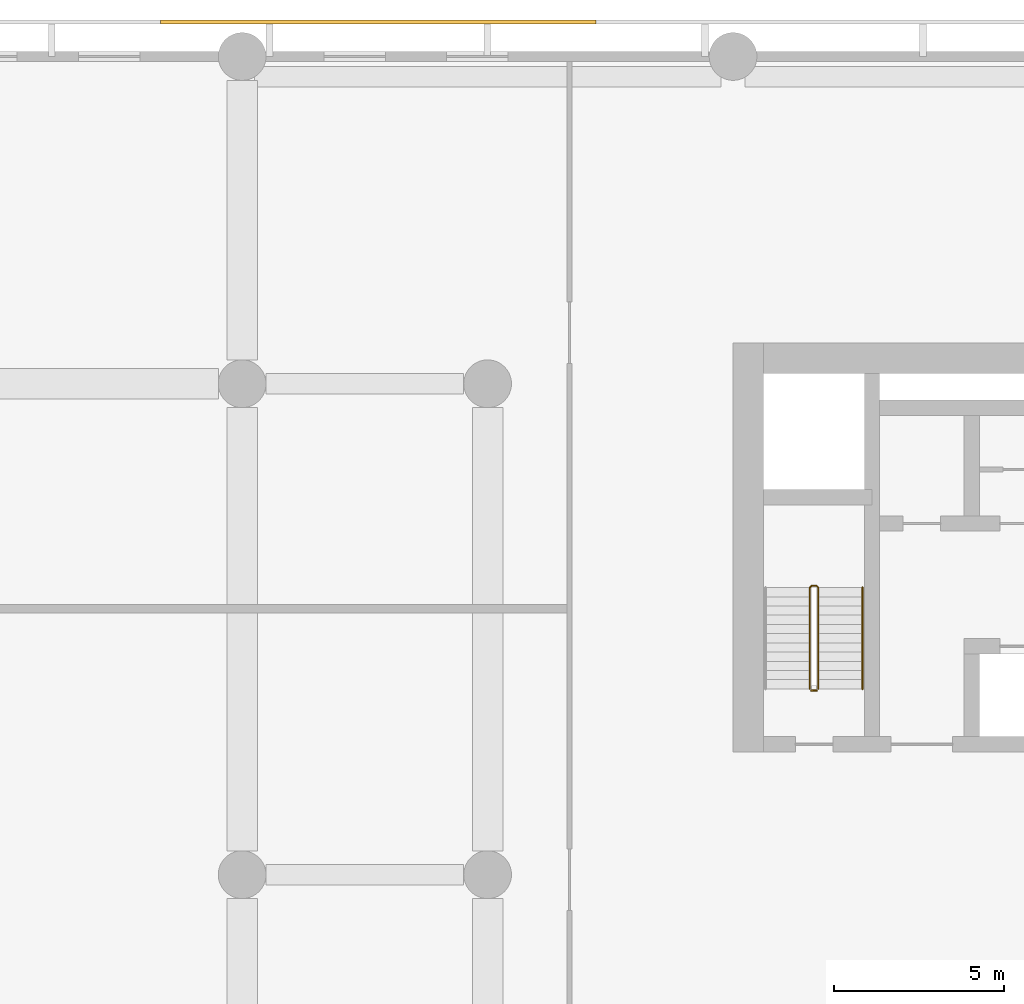
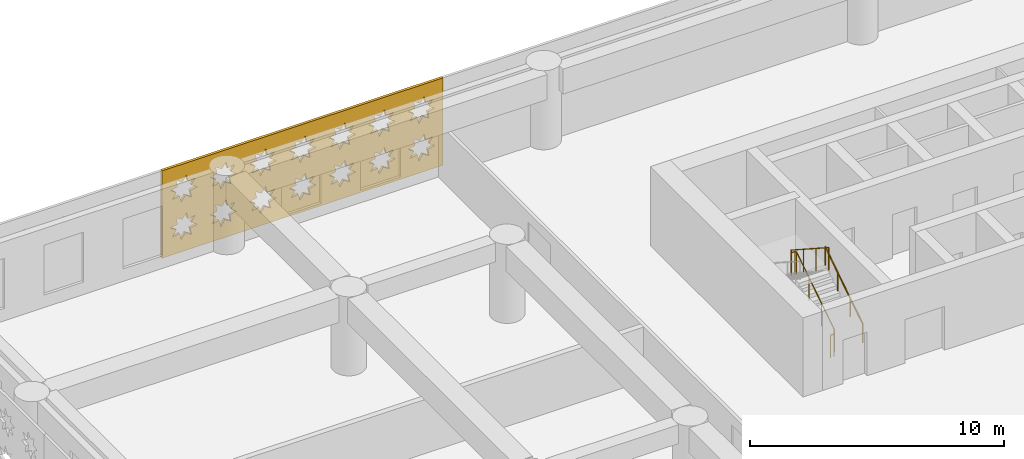
# One storey, part 20 of 24: 3 railings, 1 covering.
"""IFC4 building model written with IfcOpenShell, lengths in metres."""

import ifcopenshell
import ifcopenshell.guid

model = None  # the IFC model being written
_history = None  # IfcOwnerHistory: only IFC2X3 demands one
_inside = {}  # id of a spatial element -> (the spatial element, [elements in it])
_under = {}  # id of a project, library or spatial element -> (it, [spatial elements below it])
_declared = {}  # id of a project -> (the project, [libraries it declares])
_typed = {}  # id of a type object -> (the type object, [elements of that type])
_made_of = {}  # id of a material, layer set ... -> (it, [elements and type objects made of it])


def new_model(schema):
    """Start an empty IFC model of exactly this schema.

    Asked for "IFC4X3", IfcOpenShell would pick the latest addendum, in which some entities
    have other attributes; the version numbers below select the first issue.
    IFC2X3 requires an IfcOwnerHistory on every rooted entity: one is made here for all.
    """
    global model, _history
    if schema == "IFC4X3":
        model = ifcopenshell.file(schema_version=(4, 3, 0, 0))
    else:
        model = ifcopenshell.file(schema=schema)
    _inside.clear()
    _under.clear()
    _declared.clear()
    _typed.clear()
    _made_of.clear()
    _history = None
    if model.schema == "IFC2X3":
        org = make("IfcOrganization", Name="unknown")
        user = make(
            "IfcPersonAndOrganization",
            ThePerson=make("IfcPerson", FamilyName="unknown"),
            TheOrganization=org,
        )
        app = make(
            "IfcApplication",
            ApplicationDeveloper=org,
            Version="unknown",
            ApplicationFullName="unknown",
            ApplicationIdentifier="unknown",
        )
        _history = make(
            "IfcOwnerHistory",
            OwningUser=user,
            OwningApplication=app,
            ChangeAction="ADDED",
            CreationDate=0,
        )
    return model


def make(cls, **values):
    """One entity of the class cls with the attributes given. An attribute that is None is left unset."""
    return model.create_entity(
        cls, **{name: value for name, value in values.items() if value is not None}
    )


def rooted(cls, **values):
    """An entity with a GlobalId (a new one), such as an element, a storey or a relation."""
    return make(cls, GlobalId=ifcopenshell.guid.new(), OwnerHistory=_history, **values)


def si_unit(unit_type, name, prefix=None):
    """IfcSIUnit, for example si_unit("LENGTHUNIT", "METRE", prefix="MILLI")."""
    return make("IfcSIUnit", UnitType=unit_type, Prefix=prefix, Name=name)


def assignment(units):
    """IfcUnitAssignment: the units of a project."""
    return None if units is None else make("IfcUnitAssignment", Units=units)


def point(xyz):
    """IfcCartesianPoint."""
    return None if xyz is None else make("IfcCartesianPoint", Coordinates=xyz)


def direction(xyz):
    """IfcDirection."""
    return None if xyz is None else make("IfcDirection", DirectionRatios=xyz)


def frame(location, z_axis=None, x_axis=None):
    """IfcAxis2Placement3D, a coordinate frame: its origin and axes. An axis left out is left unset."""
    return make(
        "IfcAxis2Placement3D",
        Location=point(location),
        Axis=direction(z_axis),
        RefDirection=direction(x_axis),
    )


def frame_2d(location, x_axis=None):
    """IfcAxis2Placement2D, a coordinate frame in the plane: its origin and x axis."""
    return make(
        "IfcAxis2Placement2D", Location=point(location), RefDirection=direction(x_axis)
    )


def origin():
    """The frame at (0, 0, 0) with its axes left unset."""
    return frame((0.0, 0.0, 0.0))


def origin_2d():
    """The frame at (0, 0) in the plane with its x axis left unset."""
    return frame_2d((0.0, 0.0))


def place(relative_to, where):
    """IfcLocalPlacement: puts the frame where relative to a parent placement (None: the world)."""
    return make(
        "IfcLocalPlacement", PlacementRelTo=relative_to, RelativePlacement=where
    )


def context(
    kind, dimensions, precision=None, world=None, true_north=None, identifier=None
):
    """IfcGeometricRepresentationContext, for example the 3D "Model" context."""
    return make(
        "IfcGeometricRepresentationContext",
        ContextIdentifier=identifier,
        ContextType=kind,
        CoordinateSpaceDimension=dimensions,
        Precision=precision,
        WorldCoordinateSystem=world,
        TrueNorth=true_north,
    )


def subcontext(parent, identifier, kind, view, scale=None):
    """IfcGeometricRepresentationSubContext, for example "Body" below "Model"."""
    return make(
        "IfcGeometricRepresentationSubContext",
        ContextIdentifier=identifier,
        ContextType=kind,
        ParentContext=parent,
        TargetScale=scale,
        TargetView=view,
    )


def project(units=None, contexts=None):
    """IfcProject with its units and contexts."""
    return rooted(
        "IfcProject",
        Name="project",
        RepresentationContexts=contexts,
        UnitsInContext=assignment(units),
    )


def spatial(cls, under=None, at=None, **own):
    """A site, building, storey or space (cls), placed at a placement, below another one or the project."""
    s = rooted(cls, ObjectPlacement=at, **own)
    if under is not None:
        _under.setdefault(under.id(), (under, []))[1].append(s)
    return s


def polyline(points):
    """IfcPolyline through the points."""
    return make("IfcPolyline", Points=[point(p) for p in points])


def profile(cls, at=None, kind="AREA", **sizes):
    """A parametric profile (cls). Its sizes go by their IFC names, for example OverallWidth=200.0."""
    return make(cls, ProfileType=kind, Position=at, **sizes)


def circle(**sizes):
    """IfcCircleProfileDef."""
    return profile("IfcCircleProfileDef", **sizes)


def outline(outer, holes=None, kind="AREA"):
    """IfcArbitraryClosedProfileDef: a profile drawn as a closed curve; with holes, ...WithVoids."""
    if holes is None:
        return make("IfcArbitraryClosedProfileDef", ProfileType=kind, OuterCurve=outer)
    return make(
        "IfcArbitraryProfileDefWithVoids",
        ProfileType=kind,
        OuterCurve=outer,
        InnerCurves=holes,
    )


def extrude(swept, where, along, depth):
    """IfcExtrudedAreaSolid: the profile swept, set in the frame where, extruded along a direction by depth."""
    return make(
        "IfcExtrudedAreaSolid",
        SweptArea=swept,
        Position=where,
        ExtrudedDirection=direction(along),
        Depth=depth,
    )


def shape(context_of_items, identifier, shape_type, items):
    """IfcShapeRepresentation: the items that make up one representation, for example the "Body"."""
    return make(
        "IfcShapeRepresentation",
        ContextOfItems=context_of_items,
        RepresentationIdentifier=identifier,
        RepresentationType=shape_type,
        Items=items,
    )


def material(Name=None, Category=None):
    """IfcMaterial."""
    return make("IfcMaterial", Name=Name, Category=Category)


def layer(
    of_material, thickness, ventilated=None, Name=None, Category=None, Priority=None
):
    """IfcMaterialLayer: one layer of a wall or slab, of a material (None: an air gap)."""
    return make(
        "IfcMaterialLayer",
        Material=of_material,
        LayerThickness=thickness,
        IsVentilated=ventilated,
        Name=Name,
        Category=Category,
        Priority=Priority,
    )


def layer_set(layers, Name=None):
    """IfcMaterialLayerSet."""
    return make("IfcMaterialLayerSet", MaterialLayers=layers, LayerSetName=Name)


def made_of(thing, what):
    """Note that an element or type object is made of a material, layer set ...; save() writes the relation."""
    if what is not None:
        _made_of.setdefault(what.id(), (what, []))[1].append(thing)
    return thing


def type_object(cls, material=None, **own):
    """A type object (cls), such as IfcWallType, which elements share."""
    return made_of(rooted(cls, **own), material)


def element(
    cls,
    number,
    at=None,
    inside=None,
    cuts=None,
    type_object=None,
    material=None,
    context=None,
    identifier="Body",
    shape_type=None,
    held_by="IfcProductDefinitionShape",
    body=None,
    shapes=None,
    **own,
):
    """One element of the class cls, such as IfcWall. Its Tag is "e" and its number.

    at: its placement. inside: the storey or other place that contains it. cuts: it is an
    opening in that element (IfcRelVoidsElement). A single representation is given by context,
    identifier, shape_type and body (its items); several are given by shapes. held_by: the class
    of the entity that holds the representations. save() writes the other relations.
    """
    e = rooted(cls, Tag="e%d" % number, ObjectPlacement=at, **own)
    if body is not None:
        shapes = [shape(context, identifier, shape_type, body)]
    if shapes is not None:
        e.Representation = make(held_by, Representations=shapes)
    if inside is not None:
        _inside.setdefault(inside.id(), (inside, []))[1].append(e)
    if cuts is not None:
        rooted(
            "IfcRelVoidsElement", RelatingBuildingElement=cuts, RelatedOpeningElement=e
        )
    if type_object is not None:
        _typed.setdefault(type_object.id(), (type_object, []))[1].append(e)
    return made_of(e, material)


def aggregate(whole, parts):
    """IfcRelAggregates: a whole, such as a stair, and the parts it consists of."""
    return rooted("IfcRelAggregates", RelatingObject=whole, RelatedObjects=parts)


def save(model, path):
    """Write the relations noted so far, then the file.

    IfcRelAggregates (storeys below a building ...), IfcRelContainedInSpatialStructure (elements
    in a storey), IfcRelDefinesByType, IfcRelAssociatesMaterial and IfcRelDeclares: one each for
    every whole, place, type object, material and project.
    """
    for whole, parts in _under.values():
        aggregate(whole, parts)
    for where, things in _inside.values():
        rooted(
            "IfcRelContainedInSpatialStructure",
            RelatedElements=things,
            RelatingStructure=where,
        )
    for kind, things in _typed.values():
        rooted("IfcRelDefinesByType", RelatedObjects=things, RelatingType=kind)
    for what, things in _made_of.values():
        rooted("IfcRelAssociatesMaterial", RelatedObjects=things, RelatingMaterial=what)
    for by, libraries in _declared.values():
        rooted("IfcRelDeclares", RelatingContext=by, RelatedDefinitions=libraries)
    model.write(path)


model = new_model("IFC4")

# Units and contexts
model_context = context("Model", 3, precision=1e-05, world=origin(), true_north=direction((0.0, 1.0)))
body_context = subcontext(model_context, "Body", "Model", "MODEL_VIEW")
ifc_project = project(units=[si_unit("LENGTHUNIT", "METRE"), si_unit("AREAUNIT", "SQUARE_METRE"), si_unit("VOLUMEUNIT", "CUBIC_METRE"), si_unit("PLANEANGLEUNIT", "RADIAN"), si_unit("MASSUNIT", "GRAM", prefix="KILO")], contexts=[model_context])

# Site, building, storey
site_placement = place(None, origin())
site = spatial("IfcSite", under=ifc_project, at=site_placement, CompositionType="ELEMENT")
building_placement = place(site_placement, origin())
building = spatial("IfcBuilding", under=site, at=building_placement, Name="Saffron Iwan Residences", CompositionType="ELEMENT")
storey_placement = place(building_placement, frame((0.0, 0.0, 13.199951171875)))
storey = spatial("IfcBuildingStorey", under=building, at=storey_placement, Name="L02", CompositionType="ELEMENT", Elevation=13.199951171875)

# Covering
ifc_material_1 = material(Name="Terracotta screen, precast concrete C40/50", Category="masonry")
ifc_layer = layer(ifc_material_1, 0.1201171875)
ifc_layer_set = layer_set([ifc_layer], Name="Terracotta screen, precast concrete C40/50")
covering_type = type_object("IfcCoveringType", Name="PODIUM SCREEN GIRIH", PredefinedType="CLADDING", material=ifc_layer_set)
covering_placement = place(storey_placement, frame((24.784912109375, 87.35009765625, -0.39990234375), z_axis=(0.0, 1.0, 0.0), x_axis=(-1.0, 0.0, 0.0)))
element("IfcCovering", 1, at=covering_placement, inside=storey, type_object=covering_type, Name="SCREEN girih terracotta L02 F2.6", PredefinedType="CLADDING", context=body_context, shape_type="SweptSolid", body=[
    extrude(outline(polyline([(0.0, 0.0), (12.777587890625, 0.0), (12.777587890625, 4.199951171875), (0.0, 4.199951171875), (0.0, 0.0)]), holes=[polyline([(1.5966796875, 1.321044921875), (1.271484375, 1.388916015625), (1.333251953125, 1.715576171875), (1.05517578125, 1.533447265625), (0.867919921875, 1.80810546875), (0.7998046875, 1.482666015625), (0.47314453125, 1.54443359375), (0.6552734375, 1.266357421875), (0.380615234375, 1.0791015625), (0.7060546875, 1.010986328125), (0.644287109375, 0.6845703125), (0.92236328125, 0.866455078125), (1.109619140625, 0.591796875), (1.177490234375, 0.917236328125), (1.50439453125, 0.85546875), (1.322265625, 1.1337890625), (1.5966796875, 1.321044921875)]), polyline([(1.5966796875, 3.12109375), (1.271484375, 3.18896484375), (1.333251953125, 3.515380859375), (1.05517578125, 3.33349609375), (0.867919921875, 3.608154296875), (0.7998046875, 3.28271484375), (0.47314453125, 3.344482421875), (0.6552734375, 3.06640625), (0.380615234375, 2.87890625), (0.7060546875, 2.81103515625), (0.644287109375, 2.484619140625), (0.92236328125, 2.66650390625), (1.109619140625, 2.391845703125), (1.177490234375, 2.71728515625), (1.50439453125, 2.655517578125), (1.322265625, 2.93359375), (1.5966796875, 3.12109375)]), polyline([(3.396728515625, 1.321044921875), (3.0712890625, 1.388916015625), (3.13330078125, 1.715576171875), (2.85498046875, 1.533447265625), (2.667724609375, 1.80810546875), (2.599853515625, 1.482666015625), (2.273193359375, 1.54443359375), (2.455322265625, 1.266357421875), (2.1806640625, 1.0791015625), (2.506103515625, 1.010986328125), (2.4443359375, 0.6845703125), (2.722412109375, 0.866455078125), (2.90966796875, 0.591796875), (2.9775390625, 0.917236328125), (3.30419921875, 0.85546875), (3.122314453125, 1.1337890625), (3.396728515625, 1.321044921875)]), polyline([(3.396728515625, 3.12109375), (3.0712890625, 3.18896484375), (3.13330078125, 3.515380859375), (2.85498046875, 3.33349609375), (2.667724609375, 3.608154296875), (2.599853515625, 3.28271484375), (2.273193359375, 3.344482421875), (2.455322265625, 3.06640625), (2.1806640625, 2.87890625), (2.506103515625, 2.81103515625), (2.4443359375, 2.484619140625), (2.722412109375, 2.66650390625), (2.90966796875, 2.391845703125), (2.9775390625, 2.71728515625), (3.30419921875, 2.655517578125), (3.122314453125, 2.93359375), (3.396728515625, 3.12109375)]), polyline([(5.19677734375, 1.321044921875), (4.871337890625, 1.388916015625), (4.93310546875, 1.715576171875), (4.655029296875, 1.533447265625), (4.4677734375, 1.80810546875), (4.39990234375, 1.482666015625), (4.0732421875, 1.54443359375), (4.25537109375, 1.266357421875), (3.980712890625, 1.0791015625), (4.30615234375, 1.010986328125), (4.244384765625, 0.6845703125), (4.5224609375, 0.866455078125), (4.709716796875, 0.591796875), (4.777587890625, 0.917236328125), (5.104248046875, 0.85546875), (4.922119140625, 1.1337890625), (5.19677734375, 1.321044921875)]), polyline([(5.19677734375, 3.12109375), (4.871337890625, 3.18896484375), (4.93310546875, 3.515380859375), (4.655029296875, 3.33349609375), (4.4677734375, 3.608154296875), (4.39990234375, 3.28271484375), (4.0732421875, 3.344482421875), (4.25537109375, 3.06640625), (3.980712890625, 2.87890625), (4.30615234375, 2.81103515625), (4.244384765625, 2.484619140625), (4.5224609375, 2.66650390625), (4.709716796875, 2.391845703125), (4.777587890625, 2.71728515625), (5.104248046875, 2.655517578125), (4.922119140625, 2.93359375), (5.19677734375, 3.12109375)]), polyline([(6.996826171875, 1.321044921875), (6.67138671875, 1.388916015625), (6.733154296875, 1.715576171875), (6.455078125, 1.533447265625), (6.267822265625, 1.80810546875), (6.199951171875, 1.482666015625), (5.873291015625, 1.54443359375), (6.055419921875, 1.266357421875), (5.78076171875, 1.0791015625), (6.106201171875, 1.010986328125), (6.044189453125, 0.6845703125), (6.322509765625, 0.866455078125), (6.509765625, 0.591796875), (6.57763671875, 0.917236328125), (6.904296875, 0.85546875), (6.72216796875, 1.1337890625), (6.996826171875, 1.321044921875)]), polyline([(6.996826171875, 3.12109375), (6.67138671875, 3.18896484375), (6.733154296875, 3.515380859375), (6.455078125, 3.33349609375), (6.267822265625, 3.608154296875), (6.199951171875, 3.28271484375), (5.873291015625, 3.344482421875), (6.055419921875, 3.06640625), (5.78076171875, 2.87890625), (6.106201171875, 2.81103515625), (6.044189453125, 2.484619140625), (6.322509765625, 2.66650390625), (6.509765625, 2.391845703125), (6.57763671875, 2.71728515625), (6.904296875, 2.655517578125), (6.72216796875, 2.93359375), (6.996826171875, 3.12109375)]), polyline([(8.796875, 1.321044921875), (8.471435546875, 1.388916015625), (8.533203125, 1.715576171875), (8.255126953125, 1.533447265625), (8.06787109375, 1.80810546875), (8.0, 1.482666015625), (7.673095703125, 1.54443359375), (7.855224609375, 1.266357421875), (7.580810546875, 1.0791015625), (7.906005859375, 1.010986328125), (7.84423828125, 0.6845703125), (8.122314453125, 0.866455078125), (8.309814453125, 0.591796875), (8.377685546875, 0.917236328125), (8.704345703125, 0.85546875), (8.522216796875, 1.1337890625), (8.796875, 1.321044921875)]), polyline([(8.796875, 3.12109375), (8.471435546875, 3.18896484375), (8.533203125, 3.515380859375), (8.255126953125, 3.33349609375), (8.06787109375, 3.608154296875), (8.0, 3.28271484375), (7.673095703125, 3.344482421875), (7.855224609375, 3.06640625), (7.580810546875, 2.87890625), (7.906005859375, 2.81103515625), (7.84423828125, 2.484619140625), (8.122314453125, 2.66650390625), (8.309814453125, 2.391845703125), (8.377685546875, 2.71728515625), (8.704345703125, 2.655517578125), (8.522216796875, 2.93359375), (8.796875, 3.12109375)]), polyline([(10.5966796875, 1.321044921875), (10.271484375, 1.388916015625), (10.333251953125, 1.715576171875), (10.05517578125, 1.533447265625), (9.867919921875, 1.80810546875), (9.7998046875, 1.482666015625), (9.47314453125, 1.54443359375), (9.6552734375, 1.266357421875), (9.380615234375, 1.0791015625), (9.7060546875, 1.010986328125), (9.644287109375, 0.6845703125), (9.92236328125, 0.866455078125), (10.109619140625, 0.591796875), (10.177490234375, 0.917236328125), (10.50439453125, 0.85546875), (10.322265625, 1.1337890625), (10.5966796875, 1.321044921875)]), polyline([(10.5966796875, 3.12109375), (10.271484375, 3.18896484375), (10.333251953125, 3.515380859375), (10.05517578125, 3.33349609375), (9.867919921875, 3.608154296875), (9.7998046875, 3.28271484375), (9.47314453125, 3.344482421875), (9.6552734375, 3.06640625), (9.380615234375, 2.87890625), (9.7060546875, 2.81103515625), (9.644287109375, 2.484619140625), (9.92236328125, 2.66650390625), (10.109619140625, 2.391845703125), (10.177490234375, 2.71728515625), (10.50439453125, 2.655517578125), (10.322265625, 2.93359375), (10.5966796875, 3.12109375)]), polyline([(12.396728515625, 1.321044921875), (12.0712890625, 1.388916015625), (12.13330078125, 1.715576171875), (11.85498046875, 1.533447265625), (11.667724609375, 1.80810546875), (11.599853515625, 1.482666015625), (11.273193359375, 1.54443359375), (11.455322265625, 1.266357421875), (11.1806640625, 1.0791015625), (11.506103515625, 1.010986328125), (11.4443359375, 0.6845703125), (11.722412109375, 0.866455078125), (11.90966796875, 0.591796875), (11.9775390625, 0.917236328125), (12.30419921875, 0.85546875), (12.122314453125, 1.1337890625), (12.396728515625, 1.321044921875)]), polyline([(12.396728515625, 3.12109375), (12.0712890625, 3.18896484375), (12.13330078125, 3.515380859375), (11.85498046875, 3.33349609375), (11.667724609375, 3.608154296875), (11.599853515625, 3.28271484375), (11.273193359375, 3.344482421875), (11.455322265625, 3.06640625), (11.1806640625, 2.87890625), (11.506103515625, 2.81103515625), (11.4443359375, 2.484619140625), (11.722412109375, 2.66650390625), (11.90966796875, 2.391845703125), (11.9775390625, 2.71728515625), (12.30419921875, 2.655517578125), (12.122314453125, 2.93359375), (12.396728515625, 3.12109375)])]), origin(), (0.0, 0.0, 1.0), 0.119873046875),
])

# Railings
ifc_material_2 = material(Name="Steel S355", Category="steel")
railing_type_1 = type_object("IfcRailingType", Name="Stair guard 1100", PredefinedType="GUARDRAIL", material=ifc_material_2)
railing_1_placement = place(storey_placement, frame((31.300048828125, 67.85009765625, 0.175048828125)))
element("IfcRailing", 2, at=railing_1_placement, inside=storey, type_object=railing_type_1, Name="L02 ST-W stair guard 1", PredefinedType="GUARDRAIL", context=body_context, shape_type="SweptSolid", body=[
    extrude(circle(Radius=0.02392578125, at=origin_2d()), frame((0.0, 0.0, 1.076171875), z_axis=(0.0, 0.83914424107, 0.543908947048), x_axis=(-1.0, 0.0, 0.0)), (0.0, 0.0, 1.0), 3.539306640625),
    extrude(circle(Radius=0.02392578125, at=origin_2d()), frame((0.0, 2.969970703125, 3.0009765625), z_axis=(-0.707106781187, 0.707106781187, 0.0), x_axis=(-0.707106781187, -0.707106781187, 0.0)), (0.0, 0.0, 1.0), 0.07080078125),
    extrude(circle(Radius=0.02392578125, at=origin_2d()), frame((-0.050048828125, 3.02001953125, 3.0009765625), z_axis=(-1.0, 0.0, 0.0), x_axis=(0.0, -1.0, 0.0)), (0.0, 0.0, 1.0), 0.14990234375),
    extrude(circle(Radius=0.02392578125, at=origin_2d()), frame((-0.199951171875, 3.02001953125, 3.0009765625), z_axis=(-0.265065253269, -0.265065253269, 0.927081885822), x_axis=(0.707106781187, -0.707106781187, 0.0)), (0.0, 0.0, 1.0), 0.188720703125),
    extrude(circle(Radius=0.02392578125, at=origin_2d()), frame((-0.25, 2.969970703125, 3.17626953125), z_axis=(0.0, -0.839175724659, 0.543860370999), x_axis=(1.0, 0.0, 0.0)), (0.0, 0.0, 1.0), 3.5390625),
    extrude(circle(Radius=0.02099609375, at=origin_2d()), origin(), (0.0, 0.0, 1.0), 1.052001953125),
    extrude(circle(Radius=0.02099609375, at=origin_2d()), frame((0.0, 0.989990234375, 0.6416015625)), (0.0, 0.0, 1.0), 1.052001953125),
    extrude(circle(Radius=0.02099609375, at=origin_2d()), frame((0.0, 1.97998046875, 1.283447265625)), (0.0, 0.0, 1.0), 1.052001953125),
    extrude(circle(Radius=0.02099609375, at=origin_2d()), frame((0.0, 2.969970703125, 1.925048828125)), (0.0, 0.0, 1.0), 1.052001953125),
    extrude(circle(Radius=0.02099609375, at=origin_2d()), frame((-0.050048828125, 3.02001953125, 1.925048828125)), (0.0, 0.0, 1.0), 1.052001953125),
    extrude(circle(Radius=0.02099609375, at=origin_2d()), frame((-0.199951171875, 3.02001953125, 1.925048828125)), (0.0, 0.0, 1.0), 1.052001953125),
    extrude(circle(Radius=0.02099609375, at=origin_2d()), frame((-0.25, 2.969970703125, 2.10009765625)), (0.0, 0.0, 1.0), 1.052001953125),
    extrude(circle(Radius=0.02099609375, at=origin_2d()), frame((-0.25, 1.97998046875, 2.74169921875)), (0.0, 0.0, 1.0), 1.052001953125),
    extrude(circle(Radius=0.02099609375, at=origin_2d()), frame((-0.25, 0.989990234375, 3.38330078125)), (0.0, 0.0, 1.0), 1.052001953125),
    extrude(circle(Radius=0.02099609375, at=origin_2d()), frame((-0.25, 0.0, 4.02490234375)), (0.0, 0.0, 1.0), 1.052001953125),
])
railing_2_placement = place(storey_placement, frame((31.25, 67.800048828125, 0.0)))
element("IfcRailing", 3, at=railing_2_placement, inside=storey, type_object=railing_type_1, Name="L02 ST-W stair guard 2", PredefinedType="GUARDRAIL", context=body_context, shape_type="SweptSolid", body=[
    extrude(circle(Radius=0.02392578125, at=origin_2d()), frame((0.0, 0.0, 1.076171875), z_axis=(-1.0, 0.0, 0.0), x_axis=(0.0, -1.0, 0.0)), (0.0, 0.0, 1.0), 0.14990234375),
    extrude(circle(Radius=0.02099609375, at=origin_2d()), origin(), (0.0, 0.0, 1.0), 1.052001953125),
    extrude(circle(Radius=0.02099609375, at=origin_2d()), frame((-0.14990234375, 0.0, 0.0)), (0.0, 0.0, 1.0), 1.052001953125),
])
ifc_material_3 = material(Name="Stainless steel 316", Category="steel")
railing_type_2 = type_object("IfcRailingType", Name="Stair handrail 900", PredefinedType="HANDRAIL", material=ifc_material_3)
railing_3_placement = place(storey_placement, frame((32.60009765625, 67.85009765625, 0.175048828125)))
element("IfcRailing", 4, at=railing_3_placement, inside=storey, type_object=railing_type_2, Name="L02 ST-W stair handrail 1", PredefinedType="HANDRAIL", context=body_context, shape_type="SweptSolid", body=[
    extrude(circle(Radius=0.02392578125, at=origin_2d()), frame((0.0, 0.0, 0.8759765625), z_axis=(0.0, 0.83914424107, 0.543908947048), x_axis=(-1.0, 0.0, 0.0)), (0.0, 0.0, 1.0), 3.539306640625),
    extrude(circle(Radius=0.02099609375, at=origin_2d()), origin(), (0.0, 0.0, 1.0), 0.851806640625),
    extrude(circle(Radius=0.02099609375, at=origin_2d()), frame((0.0, 0.989990234375, 0.6416015625)), (0.0, 0.0, 1.0), 0.851806640625),
    extrude(circle(Radius=0.02099609375, at=origin_2d()), frame((0.0, 1.97998046875, 1.283447265625)), (0.0, 0.0, 1.0), 0.851806640625),
    extrude(circle(Radius=0.02099609375, at=origin_2d()), frame((0.0, 2.969970703125, 1.925048828125)), (0.0, 0.0, 1.0), 0.851806640625),
])

save(model, "model.ifc")
